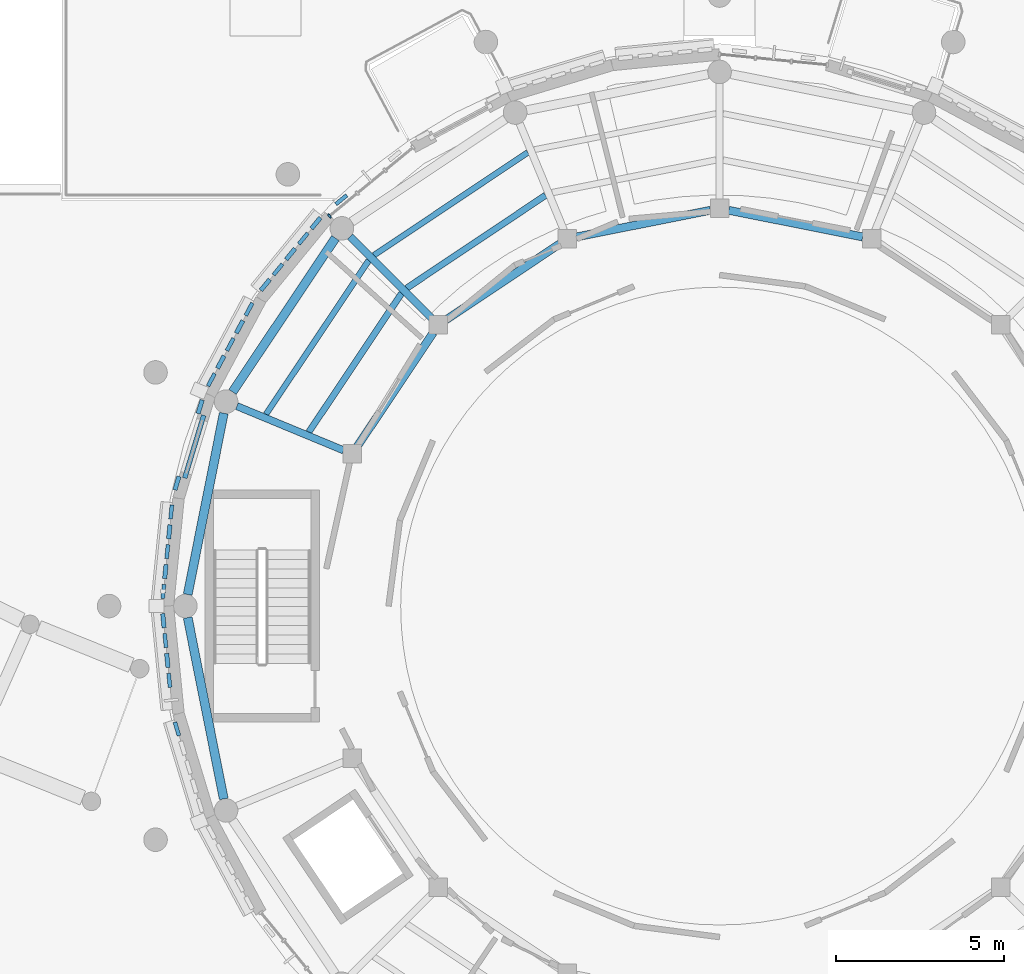
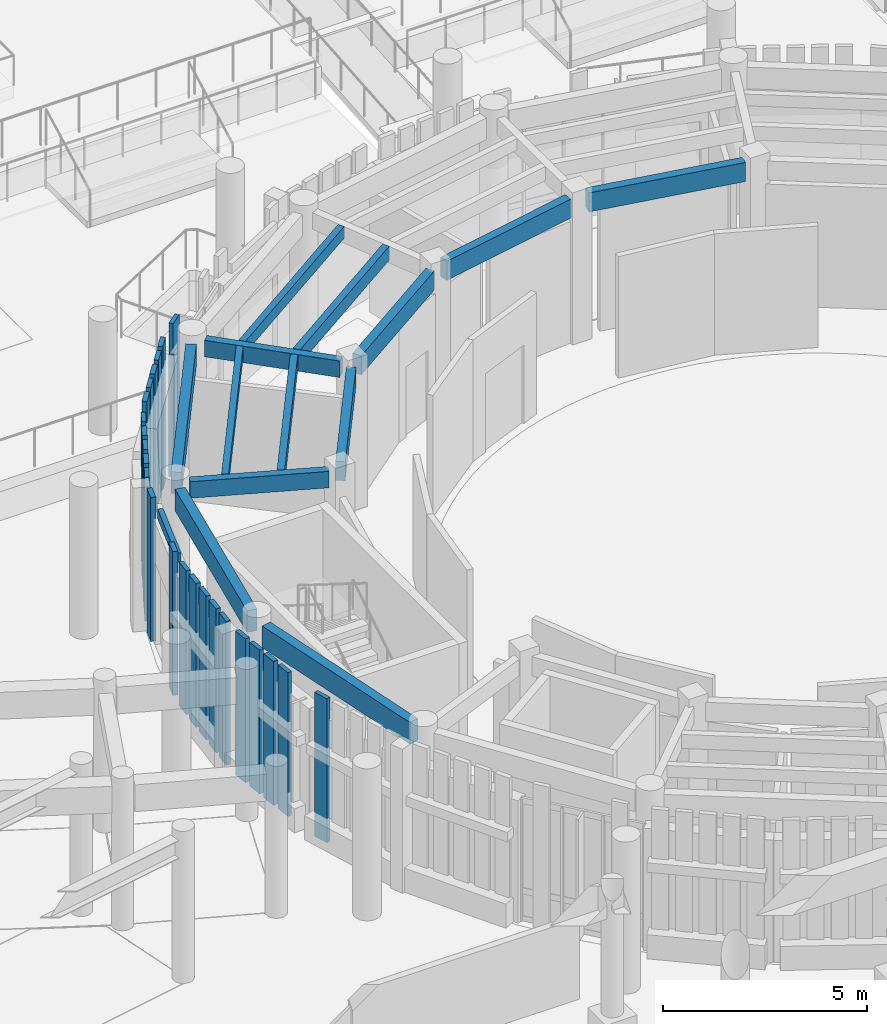
# One storey, part 15 of 94: 24 members, 14 beams, 1 element without a shape of its own.
"""IFC4 building model written with IfcOpenShell, lengths in metres."""

from ifc_helpers import new_model, si_unit, direction, frame, origin, origin_2d, place, context, subcontext, project, spatial, rectangle, extrude, material, layer, layer_set, material_profile, profile_set, type_object, element, aggregate, save


model = new_model("IFC4")

# Units and contexts
model_context = context("Model", 3, precision=1e-05, world=origin(), true_north=direction((0.0, 1.0)))
body_context = subcontext(model_context, "Body", "Model", "MODEL_VIEW")
ifc_project = project(units=[si_unit("LENGTHUNIT", "METRE"), si_unit("AREAUNIT", "SQUARE_METRE"), si_unit("VOLUMEUNIT", "CUBIC_METRE"), si_unit("PLANEANGLEUNIT", "RADIAN"), si_unit("MASSUNIT", "GRAM", prefix="KILO")], contexts=[model_context])

# Site, building, storey
site_placement = place(None, origin())
site = spatial("IfcSite", under=ifc_project, at=site_placement, CompositionType="ELEMENT")
building_placement = place(site_placement, origin())
building = spatial("IfcBuilding", under=site, at=building_placement, Name="Aldenvaro Health Centre", CompositionType="ELEMENT")
storey_placement = place(building_placement, origin())
storey = spatial("IfcBuildingStorey", under=building, at=storey_placement, Name="L00", CompositionType="ELEMENT", Elevation=0.0)

# Beams
ifc_material_1 = material(Name="Glulam GL28h", Category="wood")
ifc_material_profile_1 = material_profile(ifc_material_1, rectangle(XDim=0.139892578125, YDim=0.280029296875, at=origin_2d()), Name="GL 140x280", Category="wood")
ifc_profile_set_1 = profile_set([ifc_material_profile_1], Name="Glulam GL28h")
beam_type_1 = type_object("IfcBeamType", Name="BM-GL-280", PredefinedType="LINTEL", material=ifc_profile_set_1)
beam_1_placement = place(storey_placement, frame((71.09912109375, 23.804931640625, 3.799072265625), z_axis=(0.290229790439, 0.956956983747, 0.0), x_axis=(-0.956956983747, 0.290229790439, 0.0)))
element("IfcBeam", 1, at=beam_1_placement, inside=storey, type_object=beam_type_1, Name="Portal Lintel Beam 04", PredefinedType="LINTEL", context=body_context, shape_type="SweptSolid", body=[
    extrude(rectangle(XDim=0.139892578125, YDim=0.280029296875, at=origin_2d()), origin(), (0.0, 0.0, 1.0), 1.949951171875),
])
ifc_material_profile_2 = material_profile(ifc_material_1, rectangle(XDim=0.175048828125, YDim=0.35009765625, at=origin_2d()), Name="GL 175x350", Category="wood")
ifc_profile_set_2 = profile_set([ifc_material_profile_2], Name="Glulam GL28h")
beam_type_2 = type_object("IfcBeamType", Name="BM-GL-350", PredefinedType="JOIST", material=ifc_profile_set_2)
for number, where, z_axis, x_axis, name in (
    (2, (81.300048828125, 33.486083984375, 4.1298828125), (-0.831463177052, -0.555579863932, 0.0), (0.555579863932, -0.831463177052, 0.0), "D1 L00 secondary joist 05.2"),
    (3, (76.572998046875, 30.278076171875, 4.1298828125), (-0.555579863932, -0.831463177052, 0.0), (0.831463177052, -0.555579863932, 0.0), "D1 L00 secondary joist 06.2"),
):
    element("IfcBeam", number, at=place(storey_placement, frame(where, z_axis=z_axis, x_axis=x_axis)), inside=storey, type_object=beam_type_2, Name=name, PredefinedType="JOIST", context=body_context, shape_type="SweptSolid", body=[
        extrude(rectangle(XDim=0.175048828125, YDim=0.35009765625, at=origin_2d()), origin(), (0.0, 0.0, 1.0), 5.506103515625),
    ])
ifc_material_profile_3 = material_profile(ifc_material_1, rectangle(XDim=0.18994140625, YDim=0.41796875, at=origin_2d()), Name="GL 190x418", Category="wood")
ifc_profile_set_3 = profile_set([ifc_material_profile_3], Name="Glulam GL28h")
beam_type_3 = type_object("IfcBeamType", Name="BM-GL-418", PredefinedType="JOIST", material=ifc_profile_set_3)
for number, where, z_axis, x_axis, name in (
    (4, (81.827880859375, 32.2109375, 4.095947265625), (-0.831422153502, -0.555641253567, 0.0), (0.555641253567, -0.831422153502, 0.0), "D1 L00 secondary joist 05.1"),
    (5, (77.549072265625, 29.302001953125, 4.095947265625), (-0.555641253567, -0.831422153502, 0.0), (0.831422153502, -0.555641253567, 0.0), "D1 L00 secondary joist 06.1"),
):
    element("IfcBeam", number, at=place(storey_placement, frame(where, z_axis=z_axis, x_axis=x_axis)), inside=storey, type_object=beam_type_3, Name=name, PredefinedType="JOIST", context=body_context, shape_type="SweptSolid", body=[
        extrude(rectangle(XDim=0.18994140625, YDim=0.41796875, at=origin_2d()), origin(), (0.0, 0.0, 1.0), 4.96728515625),
    ])
ifc_material_profile_4 = material_profile(ifc_material_1, rectangle(XDim=0.215087890625, YDim=0.493896484375, at=origin_2d()), Name="GL 215x494", Category="wood")
ifc_profile_set_4 = profile_set([ifc_material_profile_4], Name="Glulam GL28h")
beam_type_4 = type_object("IfcBeamType", Name="BM-GL-494", PredefinedType="BEAM", material=ifc_profile_set_4)
beam_2_placement = place(storey_placement, frame((78.447998046875, 28.552001953125, 4.05810546875), z_axis=(-0.707106781187, 0.707106781187, 0.0), x_axis=(-0.707106781187, -0.707106781187, 0.0)))
element("IfcBeam", 6, at=beam_2_placement, inside=storey, type_object=beam_type_4, Name="D1 L00 radial beam 06", PredefinedType="BEAM", context=body_context, shape_type="SweptSolid", body=[
    extrude(rectangle(XDim=0.215087890625, YDim=0.493896484375, at=origin_2d()), origin(), (0.0, 0.0, 1.0), 3.4365234375),
])
beam_3_placement = place(storey_placement, frame((75.825927734375, 24.6279296875, 4.05810546875), z_axis=(-0.923823653162, 0.382818309199, 0.0), x_axis=(-0.382818309199, -0.923823653162, 0.0)))
element("IfcBeam", 7, at=beam_3_placement, inside=storey, type_object=beam_type_4, Name="D1 L00 radial beam 07", PredefinedType="BEAM", context=body_context, shape_type="SweptSolid", body=[
    extrude(rectangle(XDim=0.215087890625, YDim=0.493896484375, at=origin_2d()), origin(), (0.0, 0.0, 1.0), 3.435546875),
])
ifc_material_profile_5 = material_profile(ifc_material_1, rectangle(XDim=0.239990234375, YDim=0.570068359375, at=origin_2d()), Name="GL 240x570", Category="wood")
ifc_profile_set_5 = profile_set([ifc_material_profile_5], Name="Glulam GL28h")
beam_type_5 = type_object("IfcBeamType", Name="BM-GL-570", PredefinedType="BEAM", material=ifc_profile_set_5)
for number, where, z_axis, x_axis, name in (
    (8, (91.2529296875, 30.97412109375, 4.02001953125), (-0.980797430313, 0.19502923035, 0.0), (-0.19502923035, -0.980797430313, 0.0), "D1 L00 inner ring beam 03"),
    (9, (86.72998046875, 31.76611328125, 4.02001953125), (-0.980797430313, -0.19502923035, 0.0), (0.19502923035, -0.980797430313, 0.0), "D1 L00 inner ring beam 04"),
):
    element("IfcBeam", number, at=place(storey_placement, frame(where, z_axis=z_axis, x_axis=x_axis)), inside=storey, type_object=beam_type_5, Name=name, PredefinedType="BEAM", context=body_context, shape_type="SweptSolid", body=[
        extrude(rectangle(XDim=0.239990234375, YDim=0.570068359375, at=origin_2d()), origin(), (0.0, 0.0, 1.0), 4.060791015625),
    ])
for number, where, z_axis, x_axis, name in (
    (10, (82.248046875, 30.76708984375, 4.02001953125), (-0.831504236767, -0.55551841035, 0.0), (0.55551841035, -0.831504236767, 0.0), "D1 L00 inner ring beam 05"),
    (11, (78.489013671875, 28.12890625, 4.02001953125), (-0.55551841035, -0.831504236767, 0.0), (0.831504236767, -0.55551841035, 0.0), "D1 L00 inner ring beam 06"),
):
    element("IfcBeam", number, at=place(storey_placement, frame(where, z_axis=z_axis, x_axis=x_axis)), inside=storey, type_object=beam_type_5, Name=name, PredefinedType="BEAM", context=body_context, shape_type="SweptSolid", body=[
        extrude(rectangle(XDim=0.239990234375, YDim=0.570068359375, at=origin_2d()), origin(), (0.0, 0.0, 1.0), 4.061279296875),
    ])
ifc_material_profile_6 = material_profile(ifc_material_1, rectangle(XDim=0.264892578125, YDim=0.64599609375, at=origin_2d()), Name="GL 265x646", Category="wood")
ifc_profile_set_6 = profile_set([ifc_material_profile_6], Name="Glulam GL28h")
beam_type_6 = type_object("IfcBeamType", Name="BM-GL-646", PredefinedType="SPANDREL", material=ifc_profile_set_6)
for number, where, z_axis, x_axis, name in (
    (12, (75.576904296875, 30.93798828125, 3.98193359375), (-0.555612119454, -0.831441623156, 0.0), (0.831441623156, -0.555612119454, 0.0), "D1 L00 perimeter spandrel 07"),
    (13, (72.260986328125, 25.73388671875, 3.98193359375), (-0.19521063771, -0.980761340452, 0.0), (0.980761340452, -0.19521063771, 0.0), "D1 L00 perimeter spandrel 08"),
    (14, (71.18798828125, 19.656982421875, 3.98193359375), (0.19521063771, -0.980761340452, 0.0), (0.980761340452, 0.19521063771, 0.0), "D1 L00 perimeter spandrel 09"),
):
    element("IfcBeam", number, at=place(storey_placement, frame(where, z_axis=z_axis, x_axis=x_axis)), inside=storey, type_object=beam_type_6, Name=name, PredefinedType="SPANDREL", context=body_context, shape_type="SweptSolid", body=[
        extrude(rectangle(XDim=0.264892578125, YDim=0.64599609375, at=origin_2d()), origin(), (0.0, 0.0, 1.0), 5.49658203125),
    ])

# Curtain wall, member
ifc_material_2 = material(Name="Anodised Aluminium 6063-T6", Category="aluminium")
ifc_layer = layer(ifc_material_2, 0.179931640625, Name="Anodised Aluminium 6063-T6", Category="aluminium")
ifc_layer_set = layer_set([ifc_layer], Name="Anodised Aluminium 6063-T6")
curtain_wall_type = type_object("IfcCurtainWallType", Name="CW-ROT-01", PredefinedType="NOTDEFINED", material=ifc_layer_set)
curtain_wall_placement = place(storey_placement, origin())
curtain_wall = element("IfcCurtainWall", 15, at=curtain_wall_placement, inside=storey, type_object=curtain_wall_type, Name="D1 L00 curtain wall bay 21", PredefinedType="NOTDEFINED")
ifc_material_profile_7 = material_profile(ifc_material_2, rectangle(XDim=0.06005859375, YDim=0.135009765625, at=origin_2d()), Name="ALU 60x135", Category="aluminium")
ifc_profile_set_7 = profile_set([ifc_material_profile_7], Name="Anodised Aluminium 6063-T6")
member_type_1 = type_object("IfcMemberType", Name="CWM-150", PredefinedType="MULLION", material=ifc_profile_set_7)
member_placement = place(storey_placement, frame((75.403076171875, 31.596923828125, 0.0), z_axis=(0.0, 0.0, 1.0), x_axis=(0.773194586776, 0.634168850528, 0.0)))
member = element("IfcMember", 16, at=member_placement, type_object=member_type_1, Name="D1 L00 curtain wall bay 21 mullion 1", PredefinedType="MULLION", context=body_context, shape_type="SweptSolid", body=[
    extrude(rectangle(XDim=0.06005859375, YDim=0.135009765625, at=origin_2d()), origin(), (0.0, 0.0, 1.0), 3.658935546875),
])
aggregate(curtain_wall, [member])

# Members
ifc_material_profile_8 = material_profile(ifc_material_1, rectangle(XDim=0.114990234375, YDim=0.419921875, at=origin_2d()), Name="GL 115x420", Category="wood")
ifc_profile_set_8 = profile_set([ifc_material_profile_8], Name="Glulam GL28h")
member_type_2 = type_object("IfcMemberType", Name="MEM-SLT-420A", PredefinedType="POST", material=ifc_profile_set_8)
for number, where, z_axis, x_axis, name in (
    (17, (70.868896484375, 16.347900390625, 0.0), (0.0, 0.0, 1.0), (-0.95697469172, -0.290171396605, 0.0), "D1 L00 vertical timber slat 15.5"),
    (18, (70.64208984375, 17.79296875, 0.0), (0.0, 0.0, 1.0), (-0.995186971968, -0.097994340783, 0.0), "D1 L00 vertical timber slat 16.2"),
    (19, (70.52490234375, 18.97412109375, 0.0), (0.0, 0.0, 1.0), (-0.995186971968, -0.097994340783, 0.0), "D1 L00 vertical timber slat 16.4"),
    (20, (70.467041015625, 20.43505859375, 0.0), (0.0, 0.0, 1.0), (-0.995186971968, 0.097994340783, 0.0), "D1 L00 vertical timber slat 17.1"),
    (21, (70.5830078125, 21.616943359375, 0.0), (0.0, 0.0, 1.0), (-0.995186971968, 0.097994340783, 0.0), "D1 L00 vertical timber slat 17.3"),
    (22, (70.699951171875, 22.798095703125, 0.0), (0.0, 0.0, 1.0), (-0.995186971968, 0.097994340783, 0.0), "D1 L00 vertical timber slat 17.5"),
    (23, (71.89208984375, 26.72900390625, 0.0), (0.0, 0.0, 1.0), (-0.88183578132, 0.471556629455, 0.0), "D1 L00 vertical timber slat 19.1"),
    (24, (72.451904296875, 27.77587890625, 0.0), (0.0, 0.0, 1.0), (-0.88183578132, 0.471556629455, 0.0), "D1 L00 vertical timber slat 19.3"),
    (25, (73.011962890625, 28.822998046875, 0.0), (0.0, 0.0, 1.0), (-0.88183578132, 0.471556629455, 0.0), "D1 L00 vertical timber slat 19.5"),
    (26, (73.8720703125, 30.006103515625, 0.0), (0.0, 0.0, 1.0), (-0.773194586776, 0.634168850528, 0.0), "D1 L00 vertical timber slat 20.2"),
    (27, (74.625, 30.924072265625, 0.0), (0.0, 0.0, 1.0), (-0.773194586776, 0.634168850528, 0.0), "D1 L00 vertical timber slat 20.4"),
    (28, (75.7548828125, 32.080078125, 0.0), (0.0, 0.0, 1.0), (-0.634168850528, 0.773194586776, 0.0), "D1 L00 curtain mullion timber slat 21"),
):
    element("IfcMember", number, at=place(storey_placement, frame(where, z_axis=z_axis, x_axis=x_axis)), inside=storey, type_object=member_type_2, Name=name, PredefinedType="POST", context=body_context, shape_type="SweptSolid", body=[
        extrude(rectangle(XDim=0.114990234375, YDim=0.419921875, at=origin_2d()), origin(), (0.0, 0.0, 1.0), 4.304931640625),
    ])
ifc_material_profile_9 = material_profile(ifc_material_1, rectangle(XDim=0.1298828125, YDim=0.419921875, at=origin_2d()), Name="GL 130x420", Category="wood")
ifc_profile_set_9 = profile_set([ifc_material_profile_9], Name="Glulam GL28h")
member_type_3 = type_object("IfcMemberType", Name="MEM-SLT-420B", PredefinedType="POST", material=ifc_profile_set_9)
for number, where, z_axis, x_axis, name in (
    (29, (70.5830078125, 18.383056640625, 0.0), (0.0, 0.0, 1.0), (-0.995186971968, -0.097994340783, 0.0), "D1 L00 vertical timber slat 16.3"),
    (30, (70.467041015625, 19.56494140625, 0.0), (0.0, 0.0, 1.0), (-0.995186971968, -0.097994340783, 0.0), "D1 L00 vertical timber slat 16.5"),
    (31, (70.52490234375, 21.02587890625, 0.0), (0.0, 0.0, 1.0), (-0.995186971968, 0.097994340783, 0.0), "D1 L00 vertical timber slat 17.2"),
    (32, (70.64208984375, 22.20703125, 0.0), (0.0, 0.0, 1.0), (-0.995186971968, 0.097994340783, 0.0), "D1 L00 vertical timber slat 17.4"),
    (33, (70.868896484375, 23.652099609375, 0.0), (0.0, 0.0, 1.0), (-0.95697469172, 0.290171396605, 0.0), "D1 L00 vertical timber slat 18.1"),
    (34, (71.55908203125, 25.925048828125, 0.0), (0.0, 0.0, 1.0), (-0.95697469172, 0.290171396605, 0.0), "D1 L00 vertical timber slat 18.5"),
    (35, (72.172119140625, 27.251953125, 0.0), (0.0, 0.0, 1.0), (-0.88183578132, 0.471556629455, 0.0), "D1 L00 vertical timber slat 19.2"),
    (36, (72.73193359375, 28.300048828125, 0.0), (0.0, 0.0, 1.0), (-0.88183578132, 0.471556629455, 0.0), "D1 L00 vertical timber slat 19.4"),
    (37, (73.4951171875, 29.547119140625, 0.0), (0.0, 0.0, 1.0), (-0.773194586776, 0.634168850528, 0.0), "D1 L00 vertical timber slat 20.1"),
    (38, (74.248046875, 30.465087890625, 0.0), (0.0, 0.0, 1.0), (-0.773194586776, 0.634168850528, 0.0), "D1 L00 vertical timber slat 20.3"),
    (39, (75.0009765625, 31.383056640625, 0.0), (0.0, 0.0, 1.0), (-0.773194586776, 0.634168850528, 0.0), "D1 L00 vertical timber slat 20.5"),
):
    element("IfcMember", number, at=place(storey_placement, frame(where, z_axis=z_axis, x_axis=x_axis)), inside=storey, type_object=member_type_3, Name=name, PredefinedType="POST", context=body_context, shape_type="SweptSolid", body=[
        extrude(rectangle(XDim=0.1298828125, YDim=0.419921875, at=origin_2d()), origin(), (0.0, 0.0, 1.0), 4.304931640625),
    ])

save(model, "model.ifc")
